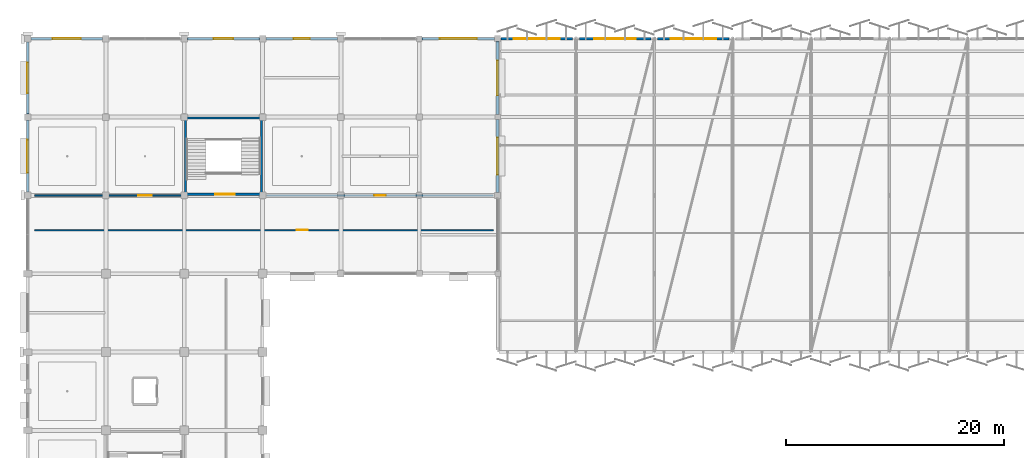
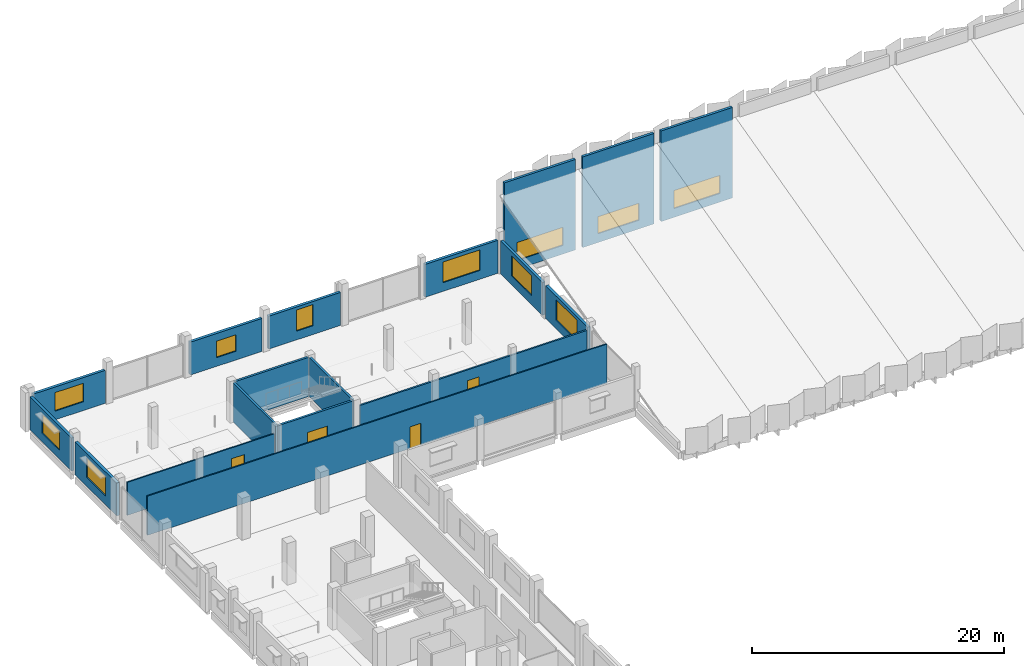
# One storey, part 83 of 108: 18 walls, 11 windows, 4 doors, 15 openings.
"""IFC4 building model written with IfcOpenShell, lengths in metres."""

from ifc_helpers import new_model, si_unit, direction, frame, frame_2d, origin, place, context, subcontext, project, spatial, rectangle, extrude, material, layer, layer_set, type_object, element, fill, save


model = new_model("IFC4")

# Units and contexts
model_context = context("Model", 3, precision=1e-05, world=origin(), true_north=direction((0.0, 1.0)))
body_context = subcontext(model_context, "Body", "Model", "MODEL_VIEW")
ifc_project = project(units=[si_unit("LENGTHUNIT", "METRE"), si_unit("AREAUNIT", "SQUARE_METRE"), si_unit("VOLUMEUNIT", "CUBIC_METRE"), si_unit("PLANEANGLEUNIT", "RADIAN"), si_unit("MASSUNIT", "GRAM", prefix="KILO")], contexts=[model_context])

# Site, building, storey
site_placement = place(None, origin())
site = spatial("IfcSite", under=ifc_project, at=site_placement, CompositionType="ELEMENT")
building_placement = place(site_placement, origin())
building = spatial("IfcBuilding", under=site, at=building_placement, Name="Kangsadwip Square Police Headquarters", CompositionType="ELEMENT")
storey_placement = place(building_placement, frame((0.0, 0.0, 9.449951171875)))
storey = spatial("IfcBuildingStorey", under=building, at=storey_placement, Name="L02", CompositionType="ELEMENT", Elevation=9.449951171875)

# Wall, opening, door
ifc_material_1 = material(Name="Fire-rated double gypsum board acoustic stud partition", Category="masonry")
ifc_layer_1 = layer(ifc_material_1, 0.1201171875)
ifc_layer_set_1 = layer_set([ifc_layer_1], Name="Fire-rated double gypsum board acoustic stud partition")
wall_type_1 = type_object("IfcWallType", Name="AcousticPartition120", PredefinedType="PARTITIONING", material=ifc_layer_set_1)
wall_1_placement = place(storey_placement, frame((0.64990234375, 100.800048828125, 0.0), z_axis=(0.0, 0.0, 1.0), x_axis=(1.0, 0.0, 0.0)))
wall_1 = element("IfcWall", 1, at=wall_1_placement, inside=storey, type_object=wall_type_1, Name="Interior Wall WI-L02-0771", PredefinedType="PARTITIONING", context=body_context, shape_type="SweptSolid", body=[
    extrude(rectangle(XDim=13.5, YDim=0.1201171875, at=frame_2d((6.75, 0.0))), origin(), (0.0, 0.0, 1.0), 3.199951171875),
])
opening_1_placement = place(wall_1_placement, frame((9.5390625, 0.0, 0.0)))
opening_1 = element("IfcOpeningElement", 2, at=opening_1_placement, cuts=wall_1, Name="Opening ID-12B", PredefinedType="OPENING", context=body_context, shape_type="SweptSolid", body=[
    extrude(rectangle(XDim=1.199951171875, YDim=2.14990234375, at=frame_2d((0.60009765625, 1.074951171875))), frame((0.0, 0.070068359375, 0.0), z_axis=(0.0, -1.0, 0.0), x_axis=(1.0, 0.0, 0.0)), (0.0, 0.0, 1.0), 0.14013671875),
])
ifc_material_2 = material(Name="Solid-core seasoned teak hardwood architectural door", Category="wood")
door_type_1 = type_object("IfcDoorType", Name="ClinicDoor1200x2150", OperationType="NOTDEFINED", PredefinedType="DOOR", material=ifc_material_2)
door_1_placement = place(opening_1_placement, origin())
door_1 = element("IfcDoor", 3, at=door_1_placement, inside=storey, type_object=door_type_1, Name="Interior Door ID-L02-0184", OperationType="SINGLE_SWING_LEFT", OverallHeight=2.14990234375, OverallWidth=1.199951171875, PredefinedType="DOOR", context=body_context, shape_type="SweptSolid", body=[
    extrude(rectangle(XDim=1.199951171875, YDim=2.14990234375, at=frame_2d((0.60009765625, 1.074951171875))), frame((0.0, 0.02490234375, 0.0), z_axis=(0.0, -1.0, 0.0), x_axis=(1.0, 0.0, 0.0)), (0.0, 0.0, 1.0), 0.050048828125),
])
fill(opening_1, door_1)

wall_2_placement = place(storey_placement, frame((0.64990234375, 97.60009765625, 0.0), z_axis=(0.0, 0.0, 1.0), x_axis=(1.0, 0.0, 0.0)))
wall_2 = element("IfcWall", 4, at=wall_2_placement, inside=storey, type_object=wall_type_1, Name="Interior Wall WI-L02-0773", PredefinedType="PARTITIONING", context=body_context, shape_type="SweptSolid", body=[
    extrude(rectangle(XDim=42.150146484375, YDim=0.1201171875, at=frame_2d((21.0751953125, 0.0))), origin(), (0.0, 0.0, 1.0), 3.81005859375),
])
opening_2_placement = place(wall_2_placement, frame((24.087890625, 0.0, 0.0)))
opening_2 = element("IfcOpeningElement", 5, at=opening_2_placement, cuts=wall_2, Name="Opening ID-10B", PredefinedType="OPENING", context=body_context, shape_type="SweptSolid", body=[
    extrude(rectangle(XDim=1.0, YDim=2.10009765625, at=frame_2d((0.5, 1.050048828125))), frame((0.0, 0.070068359375, 0.0), z_axis=(0.0, -1.0, 0.0), x_axis=(1.0, 0.0, 0.0)), (0.0, 0.0, 1.0), 0.14013671875),
])
ifc_material_3 = material(Name="Solid-core seasoned teak hardwood architectural door", Category="wood")
door_type_2 = type_object("IfcDoorType", Name="OfficeDoor1000x2100", OperationType="NOTDEFINED", PredefinedType="DOOR", material=ifc_material_3)
door_2_placement = place(opening_2_placement, origin())
door_2 = element("IfcDoor", 6, at=door_2_placement, inside=storey, type_object=door_type_2, Name="Interior Door ID-L02-0186", OperationType="SINGLE_SWING_LEFT", OverallHeight=2.10009765625, OverallWidth=1.0, PredefinedType="DOOR", context=body_context, shape_type="SweptSolid", body=[
    extrude(rectangle(XDim=1.0, YDim=2.10009765625, at=frame_2d((0.5, 1.050048828125))), frame((0.0, 0.02490234375, 0.0), z_axis=(0.0, -1.0, 0.0), x_axis=(1.0, 0.0, 0.0)), (0.0, 0.0, 1.0), 0.050048828125),
])
fill(opening_2, door_2)

ifc_material_4 = material(Name="Autoclaved aerated concrete blockwork masonry", Category="masonry")
ifc_layer_2 = layer(ifc_material_4, 0.14990234375)
ifc_layer_set_2 = layer_set([ifc_layer_2], Name="Autoclaved aerated concrete blockwork masonry")
wall_type_2 = type_object("IfcWallType", Name="BlockPartition150", PredefinedType="PARTITIONING", material=ifc_layer_set_2)
wall_3_placement = place(storey_placement, frame((22.0, 100.800048828125, 0.0), z_axis=(0.0, 0.0, 1.0), x_axis=(1.0, 0.0, 0.0)))
wall_3 = element("IfcWall", 7, at=wall_3_placement, inside=storey, type_object=wall_type_2, Name="Interior Wall WI-L02-0772", PredefinedType="PARTITIONING", context=body_context, shape_type="SweptSolid", body=[
    extrude(rectangle(XDim=20.800048828125, YDim=0.14990234375, at=frame_2d((10.39990234375, 0.0))), origin(), (0.0, 0.0, 1.0), 3.199951171875),
])
opening_3_placement = place(wall_3_placement, frame((9.875, 0.0, 0.0)))
opening_3 = element("IfcOpeningElement", 8, at=opening_3_placement, cuts=wall_3, Name="Opening ID-10A", PredefinedType="OPENING", context=body_context, shape_type="SweptSolid", body=[
    extrude(rectangle(XDim=1.050048828125, YDim=2.14990234375, at=frame_2d((0.52490234375, 1.074951171875))), frame((0.0, 0.0849609375, 0.0), z_axis=(0.0, -1.0, 0.0), x_axis=(1.0, 0.0, 0.0)), (0.0, 0.0, 1.0), 0.169921875),
])
ifc_material_5 = material(Name="Solid-core seasoned teak hardwood architectural door", Category="wood")
door_type_3 = type_object("IfcDoorType", Name="OfficeDoor1050x2150", OperationType="NOTDEFINED", PredefinedType="DOOR", material=ifc_material_5)
door_3_placement = place(opening_3_placement, origin())
door_3 = element("IfcDoor", 9, at=door_3_placement, inside=storey, type_object=door_type_3, Name="Interior Door ID-L02-0185", OperationType="SINGLE_SWING_RIGHT", OverallHeight=2.14990234375, OverallWidth=1.050048828125, PredefinedType="DOOR", context=body_context, shape_type="SweptSolid", body=[
    extrude(rectangle(XDim=1.050048828125, YDim=2.14990234375, at=frame_2d((0.52490234375, 1.074951171875))), frame((0.0, 0.02490234375, 0.0), z_axis=(0.0, -1.0, 0.0), x_axis=(1.0, 0.0, 0.0)), (0.0, 0.0, 1.0), 0.050048828125),
])
fill(opening_3, door_3)

# Wall, opening, window
ifc_material_6 = material(Name="Glazed architectural terracotta masonry rainscreen", Category="masonry")
ifc_layer_3 = layer(ifc_material_6, 0.25)
ifc_layer_set_3 = layer_set([ifc_layer_3], Name="Glazed architectural terracotta masonry rainscreen")
wall_type_3 = type_object("IfcWallType", Name="ChicagoTerracottaWall250", PredefinedType="SOLIDWALL", material=ifc_layer_set_3)
wall_4_placement = place(storey_placement, frame((0.294921875, 115.199951171875, 0.0), z_axis=(0.0, 0.0, 1.0), x_axis=(1.0, 0.0, 0.0)))
wall_4 = element("IfcWall", 10, at=wall_4_placement, inside=storey, type_object=wall_type_3, Name="Exterior Wall WE-L02-310", PredefinedType="SOLIDWALL", context=body_context, shape_type="SweptSolid", body=[
    extrude(rectangle(XDim=6.610107421875, YDim=0.25, at=frame_2d((3.30517578125, 0.0))), origin(), (0.0, 0.0, 1.0), 3.195068359375),
])
opening_4_placement = place(wall_4_placement, frame((2.0048828125, 0.0, 0.85009765625)))
opening_4 = element("IfcOpeningElement", 11, at=opening_4_placement, cuts=wall_4, Name="Opening WN-06", PredefinedType="OPENING", context=body_context, shape_type="SweptSolid", body=[
    extrude(rectangle(XDim=2.60009765625, YDim=1.800048828125, at=frame_2d((1.300048828125, 0.89990234375))), frame((0.0, 0.135009765625, 0.0), z_axis=(0.0, -1.0, 0.0), x_axis=(1.0, 0.0, 0.0)), (0.0, 0.0, 1.0), 0.27001953125),
])
ifc_material_7 = material(Name="Double-glazed solar-control low-E safety glass", Category="glass")
window_type_1 = type_object("IfcWindowType", Name="ChicagoDoubleMullWin2600x1800", PartitioningType="DOUBLE_PANEL_VERTICAL", PredefinedType="WINDOW", material=ifc_material_7)
window_1_placement = place(opening_4_placement, origin())
window_1 = element("IfcWindow", 12, at=window_1_placement, inside=storey, type_object=window_type_1, Name="Window WN-L02-0163", OverallHeight=1.800048828125, OverallWidth=2.60009765625, PartitioningType="SINGLE_PANEL", PredefinedType="WINDOW", context=body_context, shape_type="SweptSolid", body=[
    extrude(rectangle(XDim=2.60009765625, YDim=1.800048828125, at=frame_2d((1.300048828125, 0.89990234375))), frame((0.0, 0.030029296875, 0.0), z_axis=(0.0, -1.0, 0.0), x_axis=(1.0, 0.0, 0.0)), (0.0, 0.0, 1.0), 0.06005859375),
])
fill(opening_4, window_1)

wall_5_placement = place(storey_placement, frame((14.695068359375, 115.199951171875, 0.0), z_axis=(0.0, 0.0, 1.0), x_axis=(1.0, 0.0, 0.0)))
wall_5 = element("IfcWall", 13, at=wall_5_placement, inside=storey, type_object=wall_type_3, Name="Exterior Wall WE-L02-311", PredefinedType="SOLIDWALL", context=body_context, shape_type="SweptSolid", body=[
    extrude(rectangle(XDim=6.60986328125, YDim=0.25, at=frame_2d((3.304931640625, 0.0))), origin(), (0.0, 0.0, 1.0), 3.195068359375),
])
opening_5_placement = place(wall_5_placement, frame((2.405029296875, 0.0, 0.85009765625)))
opening_5 = element("IfcOpeningElement", 14, at=opening_5_placement, cuts=wall_5, Name="Opening WN-10", PredefinedType="OPENING", context=body_context, shape_type="SweptSolid", body=[
    extrude(rectangle(XDim=1.800048828125, YDim=1.60009765625, at=frame_2d((0.89990234375, 0.800048828125))), frame((0.0, 0.135009765625, 0.0), z_axis=(0.0, -1.0, 0.0), x_axis=(1.0, 0.0, 0.0)), (0.0, 0.0, 1.0), 0.27001953125),
])
ifc_material_8 = material(Name="Double-glazed solar-control low-E safety glass", Category="glass")
window_type_2 = type_object("IfcWindowType", Name="LabCleanViewWin1800x1600", PartitioningType="DOUBLE_PANEL_VERTICAL", PredefinedType="WINDOW", material=ifc_material_8)
window_2_placement = place(opening_5_placement, origin())
window_2 = element("IfcWindow", 15, at=window_2_placement, inside=storey, type_object=window_type_2, Name="Window WN-L02-0164", OverallHeight=1.60009765625, OverallWidth=1.800048828125, PartitioningType="SINGLE_PANEL", PredefinedType="WINDOW", context=body_context, shape_type="SweptSolid", body=[
    extrude(rectangle(XDim=1.800048828125, YDim=1.60009765625, at=frame_2d((0.89990234375, 0.800048828125))), frame((0.0, 0.030029296875, 0.0), z_axis=(0.0, -1.0, 0.0), x_axis=(1.0, 0.0, 0.0)), (0.0, 0.0, 1.0), 0.06005859375),
])
fill(opening_5, window_2)

wall_6_placement = place(storey_placement, frame((21.89501953125, 115.199951171875, 0.0), z_axis=(0.0, 0.0, 1.0), x_axis=(1.0, 0.0, 0.0)))
wall_6 = element("IfcWall", 16, at=wall_6_placement, inside=storey, type_object=wall_type_3, Name="Exterior Wall WE-L02-312", PredefinedType="SOLIDWALL", context=body_context, shape_type="SweptSolid", body=[
    extrude(rectangle(XDim=6.60986328125, YDim=0.25, at=frame_2d((3.304931640625, 0.0))), origin(), (0.0, 0.0, 1.0), 3.195068359375),
])
opening_6_placement = place(wall_6_placement, frame((2.554931640625, 0.0, 0.85009765625)))
opening_6 = element("IfcOpeningElement", 17, at=opening_6_placement, cuts=wall_6, Name="Opening WN-12", PredefinedType="OPENING", context=body_context, shape_type="SweptSolid", body=[
    extrude(rectangle(XDim=1.5, YDim=2.050048828125, at=frame_2d((0.75, 1.02490234375))), frame((0.0, 0.135009765625, 0.0), z_axis=(0.0, -1.0, 0.0), x_axis=(1.0, 0.0, 0.0)), (0.0, 0.0, 1.0), 0.27001953125),
])
ifc_material_9 = material(Name="Double-glazed solar-control low-E safety glass", Category="glass")
window_type_3 = type_object("IfcWindowType", Name="DirectorateTallWin1500x2050", PartitioningType="SINGLE_PANEL", PredefinedType="WINDOW", material=ifc_material_9)
window_3_placement = place(opening_6_placement, origin())
window_3 = element("IfcWindow", 18, at=window_3_placement, inside=storey, type_object=window_type_3, Name="Window WN-L02-0165", OverallHeight=2.050048828125, OverallWidth=1.5, PartitioningType="SINGLE_PANEL", PredefinedType="WINDOW", context=body_context, shape_type="SweptSolid", body=[
    extrude(rectangle(XDim=1.5, YDim=2.050048828125, at=frame_2d((0.75, 1.02490234375))), frame((0.0, 0.030029296875, 0.0), z_axis=(0.0, -1.0, 0.0), x_axis=(1.0, 0.0, 0.0)), (0.0, 0.0, 1.0), 0.06005859375),
])
fill(opening_6, window_3)

wall_7_placement = place(storey_placement, frame((36.2451171875, 115.199951171875, 0.0), z_axis=(0.0, 0.0, 1.0), x_axis=(1.0, 0.0, 0.0)))
wall_7 = element("IfcWall", 19, at=wall_7_placement, inside=storey, type_object=wall_type_3, Name="Exterior Wall WE-L02-313", PredefinedType="SOLIDWALL", context=body_context, shape_type="SweptSolid", body=[
    extrude(rectangle(XDim=6.684814453125, YDim=0.25, at=frame_2d((3.34228515625, 0.0))), origin(), (0.0, 0.0, 1.0), 3.195068359375),
])
opening_7_placement = place(wall_7_placement, frame((1.642578125, 0.0, 0.85009765625)))
opening_7 = element("IfcOpeningElement", 20, at=opening_7_placement, cuts=wall_7, Name="Opening WN-02", PredefinedType="OPENING", context=body_context, shape_type="SweptSolid", body=[
    extrude(rectangle(XDim=3.39990234375, YDim=2.0, at=frame_2d((1.699951171875, 1.0))), frame((0.0, 0.135009765625, 0.0), z_axis=(0.0, -1.0, 0.0), x_axis=(1.0, 0.0, 0.0)), (0.0, 0.0, 1.0), 0.27001953125),
])
ifc_material_10 = material(Name="Double-glazed solar-control low-E safety glass", Category="glass")
window_type_4 = type_object("IfcWindowType", Name="ChicagoTripartiteWin3400x2000", PartitioningType="TRIPLE_PANEL_HORIZONTAL", PredefinedType="WINDOW", material=ifc_material_10)
window_4_placement = place(opening_7_placement, origin())
window_4 = element("IfcWindow", 21, at=window_4_placement, inside=storey, type_object=window_type_4, Name="Window WN-L02-0166", OverallHeight=2.0, OverallWidth=3.39990234375, PartitioningType="SINGLE_PANEL", PredefinedType="WINDOW", context=body_context, shape_type="SweptSolid", body=[
    extrude(rectangle(XDim=3.39990234375, YDim=2.0, at=frame_2d((1.699951171875, 1.0))), frame((0.0, 0.030029296875, 0.0), z_axis=(0.0, -1.0, 0.0), x_axis=(1.0, 0.0, 0.0)), (0.0, 0.0, 1.0), 0.06005859375),
])
fill(opening_7, window_4)

wall_8_placement = place(storey_placement, frame((0.0, 101.094970703125, 0.0), z_axis=(0.0, 0.0, 1.0), x_axis=(0.0, 1.0, 0.0)))
wall_8 = element("IfcWall", 22, at=wall_8_placement, inside=storey, type_object=wall_type_3, Name="Exterior Wall WE-L02-328", PredefinedType="SOLIDWALL", context=body_context, shape_type="SweptSolid", body=[
    extrude(rectangle(XDim=6.610107421875, YDim=0.25, at=frame_2d((3.30517578125, 0.0))), origin(), (0.0, 0.0, 1.0), 3.195068359375),
])
opening_8_placement = place(wall_8_placement, frame((1.804931640625, 0.0, 0.85009765625)))
opening_8 = element("IfcOpeningElement", 23, at=opening_8_placement, cuts=wall_8, Name="Opening WN-04", PredefinedType="OPENING", context=body_context, shape_type="SweptSolid", body=[
    extrude(rectangle(XDim=3.0, YDim=1.89990234375, at=frame_2d((1.5, 0.949951171875))), frame((0.0, 0.135009765625, 0.0), z_axis=(0.0, -1.0, 0.0), x_axis=(1.0, 0.0, 0.0)), (0.0, 0.0, 1.0), 0.27001953125),
])
ifc_material_11 = material(Name="Double-glazed solar-control low-E safety glass", Category="glass")
window_type_5 = type_object("IfcWindowType", Name="ChicagoTripartiteWin3000x1900", PartitioningType="TRIPLE_PANEL_HORIZONTAL", PredefinedType="WINDOW", material=ifc_material_11)
window_5_placement = place(opening_8_placement, origin())
window_5 = element("IfcWindow", 24, at=window_5_placement, inside=storey, type_object=window_type_5, Name="Window WN-L02-0181", OverallHeight=1.89990234375, OverallWidth=3.0, PartitioningType="SINGLE_PANEL", PredefinedType="WINDOW", context=body_context, shape_type="SweptSolid", body=[
    extrude(rectangle(XDim=3.0, YDim=1.89990234375, at=frame_2d((1.5, 0.949951171875))), frame((0.0, 0.030029296875, 0.0), z_axis=(0.0, -1.0, 0.0), x_axis=(1.0, 0.0, 0.0)), (0.0, 0.0, 1.0), 0.06005859375),
])
fill(opening_8, window_5)

wall_9_placement = place(storey_placement, frame((0.0, 108.294921875, 0.0), z_axis=(0.0, 0.0, 1.0), x_axis=(0.0, 1.0, 0.0)))
wall_9 = element("IfcWall", 25, at=wall_9_placement, inside=storey, type_object=wall_type_3, Name="Exterior Wall WE-L02-329", PredefinedType="SOLIDWALL", context=body_context, shape_type="SweptSolid", body=[
    extrude(rectangle(XDim=6.610107421875, YDim=0.25, at=frame_2d((3.30517578125, 0.0))), origin(), (0.0, 0.0, 1.0), 3.195068359375),
])
opening_9_placement = place(wall_9_placement, frame((1.905029296875, 0.0, 0.85009765625)))
opening_9 = element("IfcOpeningElement", 26, at=opening_9_placement, cuts=wall_9, Name="Opening WN-05", PredefinedType="OPENING", context=body_context, shape_type="SweptSolid", body=[
    extrude(rectangle(XDim=2.800048828125, YDim=1.85009765625, at=frame_2d((1.39990234375, 0.925048828125))), frame((0.0, 0.135009765625, 0.0), z_axis=(0.0, -1.0, 0.0), x_axis=(1.0, 0.0, 0.0)), (0.0, 0.0, 1.0), 0.27001953125),
])
ifc_material_12 = material(Name="Double-glazed solar-control low-E safety glass", Category="glass")
window_type_6 = type_object("IfcWindowType", Name="ChicagoDoubleMullWin2800x1850", PartitioningType="DOUBLE_PANEL_VERTICAL", PredefinedType="WINDOW", material=ifc_material_12)
window_6_placement = place(opening_9_placement, origin())
window_6 = element("IfcWindow", 27, at=window_6_placement, inside=storey, type_object=window_type_6, Name="Window WN-L02-0182", OverallHeight=1.85009765625, OverallWidth=2.800048828125, PartitioningType="SINGLE_PANEL", PredefinedType="WINDOW", context=body_context, shape_type="SweptSolid", body=[
    extrude(rectangle(XDim=2.800048828125, YDim=1.85009765625, at=frame_2d((1.39990234375, 0.925048828125))), frame((0.0, 0.030029296875, 0.0), z_axis=(0.0, -1.0, 0.0), x_axis=(1.0, 0.0, 0.0)), (0.0, 0.0, 1.0), 0.06005859375),
])
fill(opening_9, window_6)

wall_10_placement = place(storey_placement, frame((43.199951171875, 101.070068359375, 0.0), z_axis=(0.0, 0.0, 1.0), x_axis=(0.0, 1.0, 0.0)))
wall_10 = element("IfcWall", 28, at=wall_10_placement, inside=storey, type_object=wall_type_3, Name="Exterior Wall WE-L02-338", PredefinedType="SOLIDWALL", context=body_context, shape_type="SweptSolid", body=[
    extrude(rectangle(XDim=6.684814453125, YDim=0.25, at=frame_2d((3.34228515625, 0.0))), origin(), (0.0, 0.0, 1.0), 3.195068359375),
])
opening_10_placement = place(wall_10_placement, frame((1.642578125, 0.0, 0.85009765625)))
opening_10 = element("IfcOpeningElement", 29, at=opening_10_placement, cuts=wall_10, Name="Opening WN-02", PredefinedType="OPENING", context=body_context, shape_type="SweptSolid", body=[
    extrude(rectangle(XDim=3.39990234375, YDim=2.0, at=frame_2d((1.699951171875, 1.0))), frame((0.0, 0.135009765625, 0.0), z_axis=(0.0, -1.0, 0.0), x_axis=(1.0, 0.0, 0.0)), (0.0, 0.0, 1.0), 0.27001953125),
])
window_7_placement = place(opening_10_placement, origin())
window_7 = element("IfcWindow", 30, at=window_7_placement, inside=storey, type_object=window_type_4, Name="Window WN-L02-0191", OverallHeight=2.0, OverallWidth=3.39990234375, PartitioningType="SINGLE_PANEL", PredefinedType="WINDOW", context=body_context, shape_type="SweptSolid", body=[
    extrude(rectangle(XDim=3.39990234375, YDim=2.0, at=frame_2d((1.699951171875, 1.0))), frame((0.0, 0.030029296875, 0.0), z_axis=(0.0, -1.0, 0.0), x_axis=(1.0, 0.0, 0.0)), (0.0, 0.0, 1.0), 0.06005859375),
])
fill(opening_10, window_7)

wall_11_placement = place(storey_placement, frame((43.199951171875, 108.2451171875, 0.0), z_axis=(0.0, 0.0, 1.0), x_axis=(0.0, 1.0, 0.0)))
wall_11 = element("IfcWall", 31, at=wall_11_placement, inside=storey, type_object=wall_type_3, Name="Exterior Wall WE-L02-339", PredefinedType="SOLIDWALL", context=body_context, shape_type="SweptSolid", body=[
    extrude(rectangle(XDim=6.684814453125, YDim=0.25, at=frame_2d((3.34228515625, 0.0))), origin(), (0.0, 0.0, 1.0), 3.195068359375),
])
opening_11_placement = place(wall_11_placement, frame((1.742431640625, 0.0, 0.85009765625)))
opening_11 = element("IfcOpeningElement", 32, at=opening_11_placement, cuts=wall_11, Name="Opening WN-03", PredefinedType="OPENING", context=body_context, shape_type="SweptSolid", body=[
    extrude(rectangle(XDim=3.199951171875, YDim=1.949951171875, at=frame_2d((1.60009765625, 0.97509765625))), frame((0.0, 0.135009765625, 0.0), z_axis=(0.0, -1.0, 0.0), x_axis=(1.0, 0.0, 0.0)), (0.0, 0.0, 1.0), 0.27001953125),
])
ifc_material_13 = material(Name="Double-glazed solar-control low-E safety glass", Category="glass")
window_type_7 = type_object("IfcWindowType", Name="ChicagoTripartiteWin3200x1950", PartitioningType="TRIPLE_PANEL_HORIZONTAL", PredefinedType="WINDOW", material=ifc_material_13)
window_8_placement = place(opening_11_placement, origin())
window_8 = element("IfcWindow", 33, at=window_8_placement, inside=storey, type_object=window_type_7, Name="Window WN-L02-0192", OverallHeight=1.949951171875, OverallWidth=3.199951171875, PartitioningType="SINGLE_PANEL", PredefinedType="WINDOW", context=body_context, shape_type="SweptSolid", body=[
    extrude(rectangle(XDim=3.199951171875, YDim=1.949951171875, at=frame_2d((1.60009765625, 0.97509765625))), frame((0.0, 0.030029296875, 0.0), z_axis=(0.0, -1.0, 0.0), x_axis=(1.0, 0.0, 0.0)), (0.0, 0.0, 1.0), 0.06005859375),
])
fill(opening_11, window_8)

ifc_material_14 = material(Name="Autoclaved aerated blockwork with terracotta brick veneer", Category="masonry")
ifc_layer_4 = layer(ifc_material_14, 0.22998046875)
ifc_layer_set_4 = layer_set([ifc_layer_4], Name="Autoclaved aerated blockwork with terracotta brick veneer")
wall_type_4 = type_object("IfcWallType", Name="ClerestoryGableWall230", PredefinedType="SOLIDWALL", material=ifc_layer_set_4)
wall_12_placement = place(storey_placement, frame((43.52001953125, 115.199951171875, -0.239990234375), z_axis=(0.0, 0.0, 1.0), x_axis=(1.0, 0.0, 0.0)))
wall_12 = element("IfcWall", 34, at=wall_12_placement, inside=storey, type_object=wall_type_4, Name="Exterior Wall WE-L02-605", PredefinedType="SOLIDWALL", context=body_context, shape_type="SweptSolid", body=[
    extrude(rectangle(XDim=6.56005859375, YDim=0.22998046875, at=frame_2d((3.280029296875, 0.0))), origin(), (0.0, 0.0, 1.0), 8.7900390625),
])
opening_12_placement = place(wall_12_placement, frame((1.179931640625, 0.0, 0.85009765625)))
opening_12 = element("IfcOpeningElement", 35, at=opening_12_placement, cuts=wall_12, Name="Opening NL-01", PredefinedType="OPENING", context=body_context, shape_type="SweptSolid", body=[
    extrude(rectangle(XDim=4.199951171875, YDim=1.75, at=frame_2d((2.10009765625, 0.875))), frame((0.0, 0.125, 0.0), z_axis=(0.0, -1.0, 0.0), x_axis=(1.0, 0.0, 0.0)), (0.0, 0.0, 1.0), 0.25),
])
ifc_material_15 = material(Name="Double-glazed solar-control low-E safety glass", Category="glass")
window_type_8 = type_object("IfcWindowType", Name="SawtoothNorthLight4200x1750", PartitioningType="TRIPLE_PANEL_HORIZONTAL", PredefinedType="LIGHTDOME", material=ifc_material_15)
window_9_placement = place(opening_12_placement, origin())
window_9 = element("IfcWindow", 36, at=window_9_placement, inside=storey, type_object=window_type_8, Name="Window WN-L02-0453", OverallHeight=1.75, OverallWidth=4.199951171875, PartitioningType="SINGLE_PANEL", PredefinedType="LIGHTDOME", context=body_context, shape_type="SweptSolid", body=[
    extrude(rectangle(XDim=4.199951171875, YDim=1.75, at=frame_2d((2.10009765625, 0.875))), frame((0.0, 0.030029296875, 0.0), z_axis=(0.0, -1.0, 0.0), x_axis=(1.0, 0.0, 0.0)), (0.0, 0.0, 1.0), 0.06005859375),
])
fill(opening_12, window_9)

wall_13_placement = place(storey_placement, frame((50.719970703125, 115.199951171875, -0.239990234375), z_axis=(0.0, 0.0, 1.0), x_axis=(1.0, 0.0, 0.0)))
wall_13 = element("IfcWall", 37, at=wall_13_placement, inside=storey, type_object=wall_type_4, Name="Exterior Wall WE-L02-606", PredefinedType="SOLIDWALL", context=body_context, shape_type="SweptSolid", body=[
    extrude(rectangle(XDim=6.56005859375, YDim=0.22998046875, at=frame_2d((3.280029296875, 0.0))), origin(), (0.0, 0.0, 1.0), 8.7900390625),
])
opening_13_placement = place(wall_13_placement, frame((1.3798828125, 0.0, 0.85009765625)))
opening_13 = element("IfcOpeningElement", 38, at=opening_13_placement, cuts=wall_13, Name="Opening NL-02", PredefinedType="OPENING", context=body_context, shape_type="SweptSolid", body=[
    extrude(rectangle(XDim=3.800048828125, YDim=1.64990234375, at=frame_2d((1.89990234375, 0.824951171875))), frame((0.0, 0.125, 0.0), z_axis=(0.0, -1.0, 0.0), x_axis=(1.0, 0.0, 0.0)), (0.0, 0.0, 1.0), 0.25),
])
ifc_material_16 = material(Name="Double-glazed solar-control low-E safety glass", Category="glass")
window_type_9 = type_object("IfcWindowType", Name="SawtoothNorthLight3800x1650", PartitioningType="TRIPLE_PANEL_HORIZONTAL", PredefinedType="LIGHTDOME", material=ifc_material_16)
window_10_placement = place(opening_13_placement, origin())
window_10 = element("IfcWindow", 39, at=window_10_placement, inside=storey, type_object=window_type_9, Name="Window WN-L02-0454", OverallHeight=1.64990234375, OverallWidth=3.800048828125, PartitioningType="SINGLE_PANEL", PredefinedType="LIGHTDOME", context=body_context, shape_type="SweptSolid", body=[
    extrude(rectangle(XDim=3.800048828125, YDim=1.64990234375, at=frame_2d((1.89990234375, 0.824951171875))), frame((0.0, 0.030029296875, 0.0), z_axis=(0.0, -1.0, 0.0), x_axis=(1.0, 0.0, 0.0)), (0.0, 0.0, 1.0), 0.06005859375),
])
fill(opening_13, window_10)

wall_14_placement = place(storey_placement, frame((57.919921875, 115.199951171875, -0.239990234375), z_axis=(0.0, 0.0, 1.0), x_axis=(1.0, 0.0, 0.0)))
wall_14 = element("IfcWall", 40, at=wall_14_placement, inside=storey, type_object=wall_type_4, Name="Exterior Wall WE-L02-607", PredefinedType="SOLIDWALL", context=body_context, shape_type="SweptSolid", body=[
    extrude(rectangle(XDim=6.56005859375, YDim=0.22998046875, at=frame_2d((3.280029296875, 0.0))), origin(), (0.0, 0.0, 1.0), 8.7900390625),
])
opening_14_placement = place(wall_14_placement, frame((1.179931640625, 0.0, 0.85009765625)))
opening_14 = element("IfcOpeningElement", 41, at=opening_14_placement, cuts=wall_14, Name="Opening NL-01", PredefinedType="OPENING", context=body_context, shape_type="SweptSolid", body=[
    extrude(rectangle(XDim=4.199951171875, YDim=1.75, at=frame_2d((2.10009765625, 0.875))), frame((0.0, 0.125, 0.0), z_axis=(0.0, -1.0, 0.0), x_axis=(1.0, 0.0, 0.0)), (0.0, 0.0, 1.0), 0.25),
])
window_11_placement = place(opening_14_placement, origin())
window_11 = element("IfcWindow", 42, at=window_11_placement, inside=storey, type_object=window_type_8, Name="Window WN-L02-0455", OverallHeight=1.75, OverallWidth=4.199951171875, PartitioningType="SINGLE_PANEL", PredefinedType="LIGHTDOME", context=body_context, shape_type="SweptSolid", body=[
    extrude(rectangle(XDim=4.199951171875, YDim=1.75, at=frame_2d((2.10009765625, 0.875))), frame((0.0, 0.030029296875, 0.0), z_axis=(0.0, -1.0, 0.0), x_axis=(1.0, 0.0, 0.0)), (0.0, 0.0, 1.0), 0.06005859375),
])
fill(opening_14, window_11)

# Wall, opening, door
ifc_material_17 = material(Name="Concrete M40 (40 MPa)", Category="concrete")
ifc_layer_5 = layer(ifc_material_17, 0.199951171875)
ifc_layer_set_5 = layer_set([ifc_layer_5], Name="Concrete M40 (40 MPa)")
wall_type_5 = type_object("IfcWallType", Name="CoreShearWall200", PredefinedType="SHEAR", material=ifc_layer_set_5)
wall_15_placement = place(storey_placement, frame((14.60009765625, 100.89990234375, 0.0), z_axis=(0.0, 0.0, 1.0), x_axis=(1.0, 0.0, 0.0)))
wall_15 = element("IfcWall", 43, at=wall_15_placement, inside=storey, type_object=wall_type_5, Name="Interior Wall WI-L02-0209", PredefinedType="SHEAR", context=body_context, shape_type="SweptSolid", body=[
    extrude(rectangle(XDim=6.7998046875, YDim=0.199951171875, at=frame_2d((3.39990234375, 0.0))), origin(), (0.0, 0.0, 1.0), 3.81005859375),
])
opening_15_placement = place(wall_15_placement, frame((2.632080078125, 0.0, 0.0)))
opening_15 = element("IfcOpeningElement", 44, at=opening_15_placement, cuts=wall_15, Name="Opening FD-18", PredefinedType="OPENING", context=body_context, shape_type="SweptSolid", body=[
    extrude(rectangle(XDim=1.800048828125, YDim=2.199951171875, at=frame_2d((0.89990234375, 1.10009765625))), frame((0.0, 0.10986328125, 0.0), z_axis=(0.0, -1.0, 0.0), x_axis=(1.0, 0.0, 0.0)), (0.0, 0.0, 1.0), 0.219970703125),
])
ifc_material_18 = material(Name="Insulated galvanized steel fire-rated door assembly", Category="steel")
door_type_4 = type_object("IfcDoorType", Name="StairFireDoor1800x2200", OperationType="DOUBLE_DOOR_SINGLE_SWING", PredefinedType="DOOR", material=ifc_material_18)
door_4_placement = place(opening_15_placement, origin())
door_4 = element("IfcDoor", 45, at=door_4_placement, inside=storey, type_object=door_type_4, Name="Interior Door ID-L02-0048", OperationType="DOUBLE_DOOR_SINGLE_SWING", OverallHeight=2.199951171875, OverallWidth=1.800048828125, PredefinedType="DOOR", context=body_context, shape_type="SweptSolid", body=[
    extrude(rectangle(XDim=1.800048828125, YDim=2.199951171875, at=frame_2d((0.89990234375, 1.10009765625))), frame((0.0, 0.02490234375, 0.0), z_axis=(0.0, -1.0, 0.0), x_axis=(1.0, 0.0, 0.0)), (0.0, 0.0, 1.0), 0.050048828125),
])
fill(opening_15, door_4)

# Walls
wall_16_placement = place(storey_placement, frame((14.60009765625, 107.89990234375, 0.0), z_axis=(0.0, 0.0, 1.0), x_axis=(1.0, 0.0, 0.0)))
element("IfcWall", 46, at=wall_16_placement, inside=storey, type_object=wall_type_5, Name="Interior Wall WI-L02-0210", PredefinedType="SHEAR", context=body_context, shape_type="SweptSolid", body=[
    extrude(rectangle(XDim=6.7998046875, YDim=0.199951171875, at=frame_2d((3.39990234375, 0.0))), origin(), (0.0, 0.0, 1.0), 3.81005859375),
])
for number, where, z_axis, x_axis, name in (
    (47, (14.5, 101.0, 0.0), (0.0, 0.0, 1.0), (0.0, 1.0, 0.0), "Interior Wall WI-L02-0211"),
    (48, (21.5, 101.0, 0.0), (0.0, 0.0, 1.0), (0.0, 1.0, 0.0), "Interior Wall WI-L02-0212"),
):
    element("IfcWall", number, at=place(storey_placement, frame(where, z_axis=z_axis, x_axis=x_axis)), inside=storey, type_object=wall_type_5, Name=name, PredefinedType="SHEAR", context=body_context, shape_type="SweptSolid", body=[
        extrude(rectangle(XDim=6.800048828125, YDim=0.199951171875, at=frame_2d((3.39990234375, 0.0))), origin(), (0.0, 0.0, 1.0), 3.81005859375),
    ])

save(model, "model.ifc")
